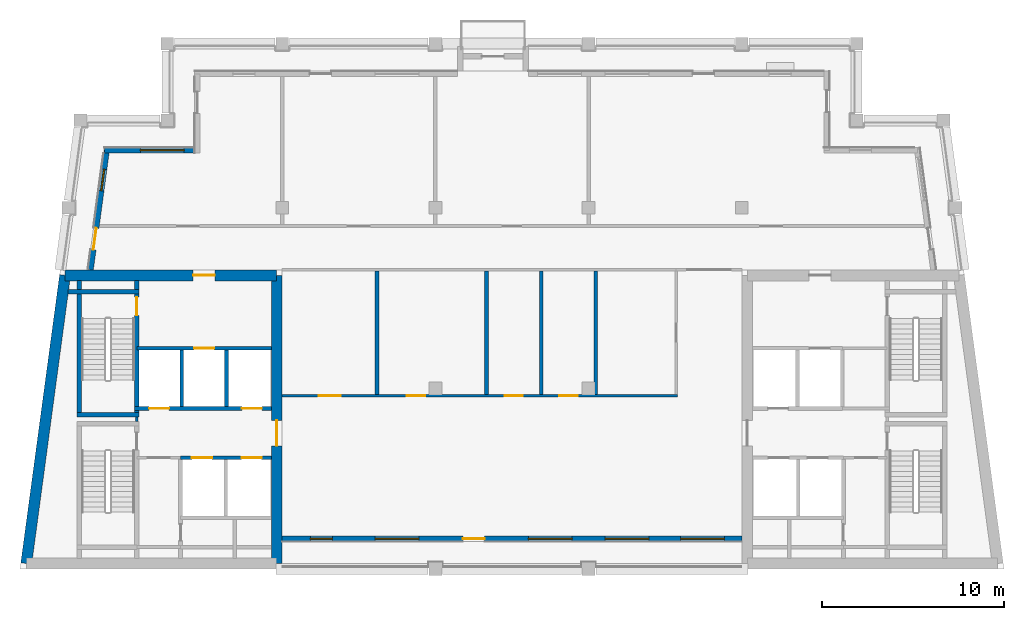
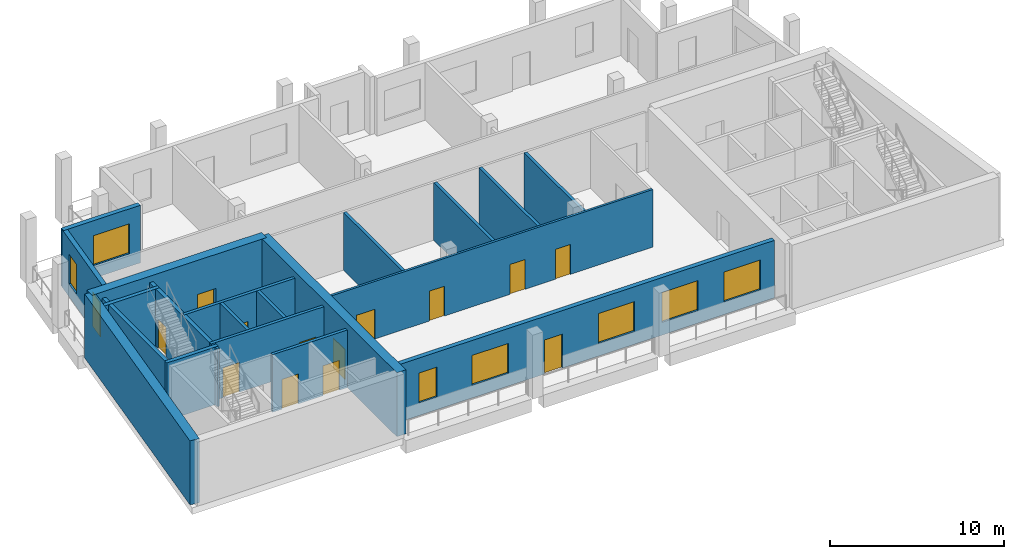
# One storey, part 2 of 9: 21 walls, 14 doors, 7 windows, 21 openings.
"""IFC4 building model written with IfcOpenShell, lengths in metres."""

import ifcopenshell
import ifcopenshell.guid

model = None  # the IFC model being written
_history = None  # IfcOwnerHistory: only IFC2X3 demands one
_inside = {}  # id of a spatial element -> (the spatial element, [elements in it])
_under = {}  # id of a project, library or spatial element -> (it, [spatial elements below it])
_declared = {}  # id of a project -> (the project, [libraries it declares])
_typed = {}  # id of a type object -> (the type object, [elements of that type])
_made_of = {}  # id of a material, layer set ... -> (it, [elements and type objects made of it])


def new_model(schema):
    """Start an empty IFC model of exactly this schema.

    Asked for "IFC4X3", IfcOpenShell would pick the latest addendum, in which some entities
    have other attributes; the version numbers below select the first issue.
    IFC2X3 requires an IfcOwnerHistory on every rooted entity: one is made here for all.
    """
    global model, _history
    if schema == "IFC4X3":
        model = ifcopenshell.file(schema_version=(4, 3, 0, 0))
    else:
        model = ifcopenshell.file(schema=schema)
    _inside.clear()
    _under.clear()
    _declared.clear()
    _typed.clear()
    _made_of.clear()
    _history = None
    if model.schema == "IFC2X3":
        org = make("IfcOrganization", Name="unknown")
        user = make(
            "IfcPersonAndOrganization",
            ThePerson=make("IfcPerson", FamilyName="unknown"),
            TheOrganization=org,
        )
        app = make(
            "IfcApplication",
            ApplicationDeveloper=org,
            Version="unknown",
            ApplicationFullName="unknown",
            ApplicationIdentifier="unknown",
        )
        _history = make(
            "IfcOwnerHistory",
            OwningUser=user,
            OwningApplication=app,
            ChangeAction="ADDED",
            CreationDate=0,
        )
    return model


def make(cls, **values):
    """One entity of the class cls with the attributes given. An attribute that is None is left unset."""
    return model.create_entity(
        cls, **{name: value for name, value in values.items() if value is not None}
    )


def rooted(cls, **values):
    """An entity with a GlobalId (a new one), such as an element, a storey or a relation."""
    return make(cls, GlobalId=ifcopenshell.guid.new(), OwnerHistory=_history, **values)


def si_unit(unit_type, name, prefix=None):
    """IfcSIUnit, for example si_unit("LENGTHUNIT", "METRE", prefix="MILLI")."""
    return make("IfcSIUnit", UnitType=unit_type, Prefix=prefix, Name=name)


def assignment(units):
    """IfcUnitAssignment: the units of a project."""
    return None if units is None else make("IfcUnitAssignment", Units=units)


def point(xyz):
    """IfcCartesianPoint."""
    return None if xyz is None else make("IfcCartesianPoint", Coordinates=xyz)


def direction(xyz):
    """IfcDirection."""
    return None if xyz is None else make("IfcDirection", DirectionRatios=xyz)


def frame(location, z_axis=None, x_axis=None):
    """IfcAxis2Placement3D, a coordinate frame: its origin and axes. An axis left out is left unset."""
    return make(
        "IfcAxis2Placement3D",
        Location=point(location),
        Axis=direction(z_axis),
        RefDirection=direction(x_axis),
    )


def frame_2d(location, x_axis=None):
    """IfcAxis2Placement2D, a coordinate frame in the plane: its origin and x axis."""
    return make(
        "IfcAxis2Placement2D", Location=point(location), RefDirection=direction(x_axis)
    )


def origin():
    """The frame at (0, 0, 0) with its axes left unset."""
    return frame((0.0, 0.0, 0.0))


def place(relative_to, where):
    """IfcLocalPlacement: puts the frame where relative to a parent placement (None: the world)."""
    return make(
        "IfcLocalPlacement", PlacementRelTo=relative_to, RelativePlacement=where
    )


def context(
    kind, dimensions, precision=None, world=None, true_north=None, identifier=None
):
    """IfcGeometricRepresentationContext, for example the 3D "Model" context."""
    return make(
        "IfcGeometricRepresentationContext",
        ContextIdentifier=identifier,
        ContextType=kind,
        CoordinateSpaceDimension=dimensions,
        Precision=precision,
        WorldCoordinateSystem=world,
        TrueNorth=true_north,
    )


def subcontext(parent, identifier, kind, view, scale=None):
    """IfcGeometricRepresentationSubContext, for example "Body" below "Model"."""
    return make(
        "IfcGeometricRepresentationSubContext",
        ContextIdentifier=identifier,
        ContextType=kind,
        ParentContext=parent,
        TargetScale=scale,
        TargetView=view,
    )


def project(units=None, contexts=None):
    """IfcProject with its units and contexts."""
    return rooted(
        "IfcProject",
        Name="project",
        RepresentationContexts=contexts,
        UnitsInContext=assignment(units),
    )


def spatial(cls, under=None, at=None, **own):
    """A site, building, storey or space (cls), placed at a placement, below another one or the project."""
    s = rooted(cls, ObjectPlacement=at, **own)
    if under is not None:
        _under.setdefault(under.id(), (under, []))[1].append(s)
    return s


def profile(cls, at=None, kind="AREA", **sizes):
    """A parametric profile (cls). Its sizes go by their IFC names, for example OverallWidth=200.0."""
    return make(cls, ProfileType=kind, Position=at, **sizes)


def rectangle(**sizes):
    """IfcRectangleProfileDef."""
    return profile("IfcRectangleProfileDef", **sizes)


def extrude(swept, where, along, depth):
    """IfcExtrudedAreaSolid: the profile swept, set in the frame where, extruded along a direction by depth."""
    return make(
        "IfcExtrudedAreaSolid",
        SweptArea=swept,
        Position=where,
        ExtrudedDirection=direction(along),
        Depth=depth,
    )


def shape(context_of_items, identifier, shape_type, items):
    """IfcShapeRepresentation: the items that make up one representation, for example the "Body"."""
    return make(
        "IfcShapeRepresentation",
        ContextOfItems=context_of_items,
        RepresentationIdentifier=identifier,
        RepresentationType=shape_type,
        Items=items,
    )


def material(Name=None, Category=None):
    """IfcMaterial."""
    return make("IfcMaterial", Name=Name, Category=Category)


def layer(
    of_material, thickness, ventilated=None, Name=None, Category=None, Priority=None
):
    """IfcMaterialLayer: one layer of a wall or slab, of a material (None: an air gap)."""
    return make(
        "IfcMaterialLayer",
        Material=of_material,
        LayerThickness=thickness,
        IsVentilated=ventilated,
        Name=Name,
        Category=Category,
        Priority=Priority,
    )


def layer_set(layers, Name=None):
    """IfcMaterialLayerSet."""
    return make("IfcMaterialLayerSet", MaterialLayers=layers, LayerSetName=Name)


def made_of(thing, what):
    """Note that an element or type object is made of a material, layer set ...; save() writes the relation."""
    if what is not None:
        _made_of.setdefault(what.id(), (what, []))[1].append(thing)
    return thing


def type_object(cls, material=None, **own):
    """A type object (cls), such as IfcWallType, which elements share."""
    return made_of(rooted(cls, **own), material)


def element(
    cls,
    number,
    at=None,
    inside=None,
    cuts=None,
    type_object=None,
    material=None,
    context=None,
    identifier="Body",
    shape_type=None,
    held_by="IfcProductDefinitionShape",
    body=None,
    shapes=None,
    **own,
):
    """One element of the class cls, such as IfcWall. Its Tag is "e" and its number.

    at: its placement. inside: the storey or other place that contains it. cuts: it is an
    opening in that element (IfcRelVoidsElement). A single representation is given by context,
    identifier, shape_type and body (its items); several are given by shapes. held_by: the class
    of the entity that holds the representations. save() writes the other relations.
    """
    e = rooted(cls, Tag="e%d" % number, ObjectPlacement=at, **own)
    if body is not None:
        shapes = [shape(context, identifier, shape_type, body)]
    if shapes is not None:
        e.Representation = make(held_by, Representations=shapes)
    if inside is not None:
        _inside.setdefault(inside.id(), (inside, []))[1].append(e)
    if cuts is not None:
        rooted(
            "IfcRelVoidsElement", RelatingBuildingElement=cuts, RelatedOpeningElement=e
        )
    if type_object is not None:
        _typed.setdefault(type_object.id(), (type_object, []))[1].append(e)
    return made_of(e, material)


def fill(opening, filler):
    """IfcRelFillsElement: the door or window that sits in an opening."""
    return rooted(
        "IfcRelFillsElement",
        RelatingOpeningElement=opening,
        RelatedBuildingElement=filler,
    )


def aggregate(whole, parts):
    """IfcRelAggregates: a whole, such as a stair, and the parts it consists of."""
    return rooted("IfcRelAggregates", RelatingObject=whole, RelatedObjects=parts)


def save(model, path):
    """Write the relations noted so far, then the file.

    IfcRelAggregates (storeys below a building ...), IfcRelContainedInSpatialStructure (elements
    in a storey), IfcRelDefinesByType, IfcRelAssociatesMaterial and IfcRelDeclares: one each for
    every whole, place, type object, material and project.
    """
    for whole, parts in _under.values():
        aggregate(whole, parts)
    for where, things in _inside.values():
        rooted(
            "IfcRelContainedInSpatialStructure",
            RelatedElements=things,
            RelatingStructure=where,
        )
    for kind, things in _typed.values():
        rooted("IfcRelDefinesByType", RelatedObjects=things, RelatingType=kind)
    for what, things in _made_of.values():
        rooted("IfcRelAssociatesMaterial", RelatedObjects=things, RelatingMaterial=what)
    for by, libraries in _declared.values():
        rooted("IfcRelDeclares", RelatingContext=by, RelatedDefinitions=libraries)
    model.write(path)


model = new_model("IFC4")

# Units and contexts
model_context = context("Model", 3, precision=1e-05, world=origin(), true_north=direction((0.0, 1.0)))
body_context = subcontext(model_context, "Body", "Model", "MODEL_VIEW")
ifc_project = project(units=[si_unit("LENGTHUNIT", "METRE"), si_unit("AREAUNIT", "SQUARE_METRE"), si_unit("VOLUMEUNIT", "CUBIC_METRE"), si_unit("PLANEANGLEUNIT", "RADIAN"), si_unit("MASSUNIT", "GRAM", prefix="KILO")], contexts=[model_context])

# Site, building, storey
site_placement = place(None, origin())
site = spatial("IfcSite", under=ifc_project, at=site_placement, CompositionType="ELEMENT")
building_placement = place(site_placement, origin())
building = spatial("IfcBuilding", under=site, at=building_placement, Name="Candeia Pilgrim Tower and Theatre", CompositionType="ELEMENT")
storey_placement = place(building_placement, frame((0.0, 0.0, 303.39990234375)))
storey = spatial("IfcBuildingStorey", under=building, at=storey_placement, Name="L74", CompositionType="ELEMENT", Elevation=303.39990234375)

# Wall, opening, door
ifc_material_1 = material(Name="Concrete C40/50", Category="concrete")
ifc_layer_1 = layer(ifc_material_1, 0.60009765625)
ifc_layer_set_1 = layer_set([ifc_layer_1], Name="Core wall 600 C40/50")
wall_type_1 = type_object("IfcWallType", Name="Core wall 600 C40/50", PredefinedType="SHEAR", material=ifc_layer_set_1)
wall_1_placement = place(storey_placement, frame((88.89306640625, 132.10009765625, 0.0), z_axis=(0.0, 0.0, 1.0), x_axis=(1.0, 0.0, 0.0)))
wall_1 = element("IfcWall", 1, at=wall_1_placement, inside=storey, type_object=wall_type_1, Name="Core wall W1", PredefinedType="SHEAR", context=body_context, shape_type="SweptSolid", body=[
    extrude(rectangle(XDim=11.60693359375, YDim=0.60009765625, at=frame_2d((5.803466796875, 0.0))), origin(), (0.0, 0.0, 1.0), 4.5),
])
opening_1_placement = place(wall_1_placement, frame((7.0205078125, 0.0, 0.0)))
opening_1 = element("IfcOpeningElement", 2, at=opening_1_placement, cuts=wall_1, Name="Opening L74-D019", PredefinedType="OPENING", context=body_context, shape_type="SweptSolid", body=[
    extrude(rectangle(XDim=1.199951171875, YDim=2.10009765625, at=frame_2d((0.60009765625, 1.050048828125))), frame((0.0, 0.31005859375, 0.0), z_axis=(0.0, -1.0, 0.0), x_axis=(1.0, 0.0, 0.0)), (0.0, 0.0, 1.0), 0.6201171875),
])
ifc_material_2 = material(Name="Steel fire door set", Category="steel")
door_type_1 = type_object("IfcDoorType", Name="D-1200-FD60", OperationType="NOTDEFINED", PredefinedType="DOOR", material=ifc_material_2)
door_1_placement = place(opening_1_placement, origin())
door_1 = element("IfcDoor", 3, at=door_1_placement, inside=storey, type_object=door_type_1, Name="Door L74-D019", OperationType="SINGLE_SWING_RIGHT", OverallHeight=2.10009765625, OverallWidth=1.199951171875, PredefinedType="DOOR", context=body_context, shape_type="SweptSolid", body=[
    extrude(rectangle(XDim=1.199951171875, YDim=2.10009765625, at=frame_2d((0.60009765625, 1.050048828125))), frame((0.0, 0.02490234375, 0.0), z_axis=(0.0, -1.0, 0.0), x_axis=(1.0, 0.0, 0.0)), (0.0, 0.0, 1.0), 0.050048828125),
])
fill(opening_1, door_1)

wall_2_placement = place(storey_placement, frame((100.5, 132.10009765625, 0.0), z_axis=(0.0, 0.0, 1.0), x_axis=(0.0, -1.0, 0.0)))
wall_2 = element("IfcWall", 4, at=wall_2_placement, inside=storey, type_object=wall_type_1, Name="Core wall W2", PredefinedType="SHEAR", context=body_context, shape_type="SweptSolid", body=[
    extrude(rectangle(XDim=15.800048828125, YDim=0.60009765625, at=frame_2d((7.89990234375, 0.0))), origin(), (0.0, 0.0, 1.0), 4.5),
])
opening_2_placement = place(wall_2_placement, frame((7.949951171875, 0.0, 0.0)))
opening_2 = element("IfcOpeningElement", 5, at=opening_2_placement, cuts=wall_2, Name="Opening L74-D020", PredefinedType="OPENING", context=body_context, shape_type="SweptSolid", body=[
    extrude(rectangle(XDim=1.39990234375, YDim=2.10009765625, at=frame_2d((0.699951171875, 1.050048828125))), frame((0.0, 0.31005859375, 0.0), z_axis=(0.0, -1.0, 0.0), x_axis=(1.0, 0.0, 0.0)), (0.0, 0.0, 1.0), 0.6201171875),
])
door_type_2 = type_object("IfcDoorType", Name="D-1400-FD60", OperationType="NOTDEFINED", PredefinedType="DOOR", material=ifc_material_2)
door_2_placement = place(opening_2_placement, origin())
door_2 = element("IfcDoor", 6, at=door_2_placement, inside=storey, type_object=door_type_2, Name="Door L74-D020", OperationType="SINGLE_SWING_LEFT", OverallHeight=2.10009765625, OverallWidth=1.39990234375, PredefinedType="DOOR", context=body_context, shape_type="SweptSolid", body=[
    extrude(rectangle(XDim=1.39990234375, YDim=2.10009765625, at=frame_2d((0.699951171875, 1.050048828125))), frame((0.0, 0.02490234375, 0.0), z_axis=(0.0, -1.0, 0.0), x_axis=(1.0, 0.0, 0.0)), (0.0, 0.0, 1.0), 0.050048828125),
])
fill(opening_2, door_2)

# Wall
wall_3_placement = place(storey_placement, frame((86.76611328125, 116.300048828125, 0.0), z_axis=(0.0, 0.0, 1.0), x_axis=(0.13341345841, 0.991060466932, 0.0)))
element("IfcWall", 7, at=wall_3_placement, inside=storey, type_object=wall_type_1, Name="Core wall W4", PredefinedType="SHEAR", context=body_context, shape_type="SweptSolid", body=[
    extrude(rectangle(XDim=15.942626953125, YDim=0.60009765625, at=frame_2d((7.97119140625, 0.0))), origin(), (0.0, 0.0, 1.0), 4.5),
])

# Wall, openings, door, window
ifc_material_3 = material(Name="Ceramic block masonry", Category="masonry")
ifc_layer_2 = layer(ifc_material_3, 0.300048828125)
ifc_layer_set_2 = layer_set([ifc_layer_2], Name="EW1 glazing-line wall 300")
wall_type_2 = type_object("IfcWallType", Name="EW1 glazing-line wall 300", PredefinedType="SOLIDWALL", material=ifc_layer_set_2)
wall_4_placement = place(storey_placement, frame((91.177490234375, 138.949951171875, 0.0), z_axis=(0.0, 0.0, 1.0), x_axis=(-0.133426664613, -0.991058689065, 0.0)))
wall_4 = element("IfcWall", 8, at=wall_4_placement, inside=storey, type_object=wall_type_2, Name="External wall L74-0.0", PredefinedType="SOLIDWALL", context=body_context, shape_type="SweptSolid", body=[
    extrude(rectangle(XDim=6.609130859375, YDim=0.300048828125, at=frame_2d((3.3046875, 0.0))), origin(), (0.0, 0.0, 1.0), 4.050048828125),
])
opening_3_placement = place(wall_4_placement, frame((1.039306640625, 0.0, 0.89990234375)))
opening_3 = element("IfcOpeningElement", 9, at=opening_3_placement, cuts=wall_4, Name="Opening W-B", PredefinedType="OPENING", context=body_context, shape_type="SweptSolid", body=[
    extrude(rectangle(XDim=1.199951171875, YDim=2.10009765625, at=frame_2d((0.60009765625, 1.050048828125))), frame((0.0, 0.16015625, 0.0), z_axis=(0.0, -1.0, 0.0), x_axis=(1.0, 0.0, 0.0)), (0.0, 0.0, 1.0), 0.320068359375),
])
opening_4_placement = place(wall_4_placement, frame((4.293701171875, 0.0, 0.0)))
opening_4 = element("IfcOpeningElement", 10, at=opening_4_placement, cuts=wall_4, Name="Opening L74-ED683", PredefinedType="OPENING", context=body_context, shape_type="SweptSolid", body=[
    extrude(rectangle(XDim=1.199951171875, YDim=2.39990234375, at=frame_2d((0.60009765625, 1.199951171875))), frame((0.0, 0.16015625, 0.0), z_axis=(0.0, -1.0, 0.0), x_axis=(1.0, 0.0, 0.0)), (0.0, 0.0, 1.0), 0.320068359375),
])
ifc_material_4 = material(Name="Aluminium framed glazed door", Category="aluminium")
door_type_3 = type_object("IfcDoorType", Name="Loggia door 1200x2400", OperationType="DOUBLE_DOOR_SINGLE_SWING", PredefinedType="DOOR", material=ifc_material_4)
door_3_placement = place(opening_4_placement, origin())
door_3 = element("IfcDoor", 11, at=door_3_placement, inside=storey, type_object=door_type_3, Name="Loggia door L74-ED683", OperationType="DOUBLE_DOOR_SINGLE_SWING", OverallHeight=2.39990234375, OverallWidth=1.199951171875, PredefinedType="DOOR", context=body_context, shape_type="SweptSolid", body=[
    extrude(rectangle(XDim=1.199951171875, YDim=2.39990234375, at=frame_2d((0.60009765625, 1.199951171875))), frame((0.0, 0.02490234375, 0.0), z_axis=(0.0, -1.0, 0.0), x_axis=(1.0, 0.0, 0.0)), (0.0, 0.0, 1.0), 0.050048828125),
])
fill(opening_4, door_3)
ifc_material_5 = material(Name="Aluminium framed double glazing", Category="aluminium")
window_type_1 = type_object("IfcWindowType", Name="W-B window 1200x2100", PartitioningType="SINGLE_PANEL", PredefinedType="WINDOW", material=ifc_material_5)
window_1_placement = place(opening_3_placement, origin())
window_1 = element("IfcWindow", 12, at=window_1_placement, inside=storey, type_object=window_type_1, Name="Window W-B L74", OverallHeight=2.10009765625, OverallWidth=1.199951171875, PartitioningType="SINGLE_PANEL", PredefinedType="WINDOW", context=body_context, shape_type="SweptSolid", body=[
    extrude(rectangle(XDim=1.199951171875, YDim=2.10009765625, at=frame_2d((0.60009765625, 1.050048828125))), frame((0.0, 0.030029296875, 0.0), z_axis=(0.0, -1.0, 0.0), x_axis=(1.0, 0.0, 0.0)), (0.0, 0.0, 1.0), 0.06005859375),
])
fill(opening_3, window_1)

# Wall, openings, door, windows
wall_5_placement = place(storey_placement, frame((100.800048828125, 117.64990234375, 0.0), z_axis=(0.0, 0.0, 1.0), x_axis=(1.0, 0.0, 0.0)))
wall_5 = element("IfcWall", 13, at=wall_5_placement, inside=storey, type_object=wall_type_2, Name="External wall L74-1.0", PredefinedType="SOLIDWALL", context=body_context, shape_type="SweptSolid", body=[
    extrude(rectangle(XDim=25.199951171875, YDim=0.300048828125, at=frame_2d((12.60009765625, 0.0))), origin(), (0.0, 0.0, 1.0), 4.050048828125),
])
opening_5_placement = place(wall_5_placement, frame((1.550048828125, 0.0, 0.89990234375)))
opening_5 = element("IfcOpeningElement", 14, at=opening_5_placement, cuts=wall_5, Name="Opening W-B", PredefinedType="OPENING", context=body_context, shape_type="SweptSolid", body=[
    extrude(rectangle(XDim=1.199951171875, YDim=2.10009765625, at=frame_2d((0.60009765625, 1.050048828125))), frame((0.0, 0.16015625, 0.0), z_axis=(0.0, -1.0, 0.0), x_axis=(1.0, 0.0, 0.0)), (0.0, 0.0, 1.0), 0.320068359375),
])
opening_6_placement = place(wall_5_placement, frame((5.10009765625, 0.0, 0.89990234375)))
opening_6 = element("IfcOpeningElement", 15, at=opening_6_placement, cuts=wall_5, Name="Opening W-A", PredefinedType="OPENING", context=body_context, shape_type="SweptSolid", body=[
    extrude(rectangle(XDim=2.39990234375, YDim=2.10009765625, at=frame_2d((1.199951171875, 1.050048828125))), frame((0.0, 0.16015625, 0.0), z_axis=(0.0, -1.0, 0.0), x_axis=(1.0, 0.0, 0.0)), (0.0, 0.0, 1.0), 0.320068359375),
])
opening_7_placement = place(wall_5_placement, frame((9.89990234375, 0.0, 0.0)))
opening_7 = element("IfcOpeningElement", 16, at=opening_7_placement, cuts=wall_5, Name="Opening L74-ED684", PredefinedType="OPENING", context=body_context, shape_type="SweptSolid", body=[
    extrude(rectangle(XDim=1.199951171875, YDim=2.39990234375, at=frame_2d((0.60009765625, 1.199951171875))), frame((0.0, 0.16015625, 0.0), z_axis=(0.0, -1.0, 0.0), x_axis=(1.0, 0.0, 0.0)), (0.0, 0.0, 1.0), 0.320068359375),
])
opening_8_placement = place(wall_5_placement, frame((13.5, 0.0, 0.89990234375)))
opening_8 = element("IfcOpeningElement", 17, at=opening_8_placement, cuts=wall_5, Name="Opening W-A", PredefinedType="OPENING", context=body_context, shape_type="SweptSolid", body=[
    extrude(rectangle(XDim=2.39990234375, YDim=2.10009765625, at=frame_2d((1.199951171875, 1.050048828125))), frame((0.0, 0.16015625, 0.0), z_axis=(0.0, -1.0, 0.0), x_axis=(1.0, 0.0, 0.0)), (0.0, 0.0, 1.0), 0.320068359375),
])
opening_9_placement = place(wall_5_placement, frame((17.699951171875, 0.0, 0.89990234375)))
opening_9 = element("IfcOpeningElement", 18, at=opening_9_placement, cuts=wall_5, Name="Opening W-A", PredefinedType="OPENING", context=body_context, shape_type="SweptSolid", body=[
    extrude(rectangle(XDim=2.39990234375, YDim=2.10009765625, at=frame_2d((1.199951171875, 1.050048828125))), frame((0.0, 0.16015625, 0.0), z_axis=(0.0, -1.0, 0.0), x_axis=(1.0, 0.0, 0.0)), (0.0, 0.0, 1.0), 0.320068359375),
])
opening_10_placement = place(wall_5_placement, frame((21.85009765625, 0.0, 0.89990234375)))
opening_10 = element("IfcOpeningElement", 19, at=opening_10_placement, cuts=wall_5, Name="Opening W-A", PredefinedType="OPENING", context=body_context, shape_type="SweptSolid", body=[
    extrude(rectangle(XDim=2.39990234375, YDim=2.10009765625, at=frame_2d((1.199951171875, 1.050048828125))), frame((0.0, 0.16015625, 0.0), z_axis=(0.0, -1.0, 0.0), x_axis=(1.0, 0.0, 0.0)), (0.0, 0.0, 1.0), 0.320068359375),
])
door_4_placement = place(opening_7_placement, origin())
door_4 = element("IfcDoor", 20, at=door_4_placement, inside=storey, type_object=door_type_3, Name="Loggia door L74-ED684", OperationType="DOUBLE_DOOR_SINGLE_SWING", OverallHeight=2.39990234375, OverallWidth=1.199951171875, PredefinedType="DOOR", context=body_context, shape_type="SweptSolid", body=[
    extrude(rectangle(XDim=1.199951171875, YDim=2.39990234375, at=frame_2d((0.60009765625, 1.199951171875))), frame((0.0, 0.02490234375, 0.0), z_axis=(0.0, -1.0, 0.0), x_axis=(1.0, 0.0, 0.0)), (0.0, 0.0, 1.0), 0.050048828125),
])
fill(opening_7, door_4)
window_type_2 = type_object("IfcWindowType", Name="W-A window 2400x2100", PartitioningType="DOUBLE_PANEL_VERTICAL", PredefinedType="WINDOW", material=ifc_material_5)
window_2_placement = place(opening_6_placement, origin())
window_2 = element("IfcWindow", 21, at=window_2_placement, inside=storey, type_object=window_type_2, Name="Window W-A L74", OverallHeight=2.10009765625, OverallWidth=2.39990234375, PartitioningType="SINGLE_PANEL", PredefinedType="WINDOW", context=body_context, shape_type="SweptSolid", body=[
    extrude(rectangle(XDim=2.39990234375, YDim=2.10009765625, at=frame_2d((1.199951171875, 1.050048828125))), frame((0.0, 0.030029296875, 0.0), z_axis=(0.0, -1.0, 0.0), x_axis=(1.0, 0.0, 0.0)), (0.0, 0.0, 1.0), 0.06005859375),
])
fill(opening_6, window_2)
window_3_placement = place(opening_8_placement, origin())
window_3 = element("IfcWindow", 22, at=window_3_placement, inside=storey, type_object=window_type_2, Name="Window W-A L74", OverallHeight=2.10009765625, OverallWidth=2.39990234375, PartitioningType="SINGLE_PANEL", PredefinedType="WINDOW", context=body_context, shape_type="SweptSolid", body=[
    extrude(rectangle(XDim=2.39990234375, YDim=2.10009765625, at=frame_2d((1.199951171875, 1.050048828125))), frame((0.0, 0.030029296875, 0.0), z_axis=(0.0, -1.0, 0.0), x_axis=(1.0, 0.0, 0.0)), (0.0, 0.0, 1.0), 0.06005859375),
])
fill(opening_8, window_3)
window_4_placement = place(opening_9_placement, origin())
window_4 = element("IfcWindow", 23, at=window_4_placement, inside=storey, type_object=window_type_2, Name="Window W-A L74", OverallHeight=2.10009765625, OverallWidth=2.39990234375, PartitioningType="SINGLE_PANEL", PredefinedType="WINDOW", context=body_context, shape_type="SweptSolid", body=[
    extrude(rectangle(XDim=2.39990234375, YDim=2.10009765625, at=frame_2d((1.199951171875, 1.050048828125))), frame((0.0, 0.030029296875, 0.0), z_axis=(0.0, -1.0, 0.0), x_axis=(1.0, 0.0, 0.0)), (0.0, 0.0, 1.0), 0.06005859375),
])
fill(opening_9, window_4)
window_5_placement = place(opening_10_placement, origin())
window_5 = element("IfcWindow", 24, at=window_5_placement, inside=storey, type_object=window_type_2, Name="Window W-A L74", OverallHeight=2.10009765625, OverallWidth=2.39990234375, PartitioningType="SINGLE_PANEL", PredefinedType="WINDOW", context=body_context, shape_type="SweptSolid", body=[
    extrude(rectangle(XDim=2.39990234375, YDim=2.10009765625, at=frame_2d((1.199951171875, 1.050048828125))), frame((0.0, 0.030029296875, 0.0), z_axis=(0.0, -1.0, 0.0), x_axis=(1.0, 0.0, 0.0)), (0.0, 0.0, 1.0), 0.06005859375),
])
fill(opening_10, window_5)
window_6_placement = place(opening_5_placement, origin())
window_6 = element("IfcWindow", 25, at=window_6_placement, inside=storey, type_object=window_type_1, Name="Window W-B L74", OverallHeight=2.10009765625, OverallWidth=1.199951171875, PartitioningType="SINGLE_PANEL", PredefinedType="WINDOW", context=body_context, shape_type="SweptSolid", body=[
    extrude(rectangle(XDim=1.199951171875, YDim=2.10009765625, at=frame_2d((0.60009765625, 1.050048828125))), frame((0.0, 0.030029296875, 0.0), z_axis=(0.0, -1.0, 0.0), x_axis=(1.0, 0.0, 0.0)), (0.0, 0.0, 1.0), 0.06005859375),
])
fill(opening_5, window_6)

# Wall, opening, window
wall_6_placement = place(storey_placement, frame((96.14990234375, 138.949951171875, 0.0), z_axis=(0.0, 0.0, 1.0), x_axis=(-1.0, 0.0, 0.0)))
wall_6 = element("IfcWall", 26, at=wall_6_placement, inside=storey, type_object=wall_type_2, Name="External wall L74-7.0", PredefinedType="SOLIDWALL", context=body_context, shape_type="SweptSolid", body=[
    extrude(rectangle(XDim=5.103759765625, YDim=0.300048828125, at=frame_2d((2.5517578125, 0.0))), origin(), (0.0, 0.0, 1.0), 4.050048828125),
])
opening_11_placement = place(wall_6_placement, frame((0.72509765625, 0.0, 0.89990234375)))
opening_11 = element("IfcOpeningElement", 27, at=opening_11_placement, cuts=wall_6, Name="Opening W-A", PredefinedType="OPENING", context=body_context, shape_type="SweptSolid", body=[
    extrude(rectangle(XDim=2.39990234375, YDim=2.10009765625, at=frame_2d((1.199951171875, 1.050048828125))), frame((0.0, 0.16015625, 0.0), z_axis=(0.0, -1.0, 0.0), x_axis=(1.0, 0.0, 0.0)), (0.0, 0.0, 1.0), 0.320068359375),
])
window_7_placement = place(opening_11_placement, origin())
window_7 = element("IfcWindow", 28, at=window_7_placement, inside=storey, type_object=window_type_2, Name="Window W-A L74", OverallHeight=2.10009765625, OverallWidth=2.39990234375, PartitioningType="SINGLE_PANEL", PredefinedType="WINDOW", context=body_context, shape_type="SweptSolid", body=[
    extrude(rectangle(XDim=2.39990234375, YDim=2.10009765625, at=frame_2d((1.199951171875, 1.050048828125))), frame((0.0, 0.030029296875, 0.0), z_axis=(0.0, -1.0, 0.0), x_axis=(1.0, 0.0, 0.0)), (0.0, 0.0, 1.0), 0.06005859375),
])
fill(opening_11, window_7)

# Wall, openings, doors
ifc_material_6 = material(Name="Gypsum board partition on steel studs", Category="steel")
ifc_layer_3 = layer(ifc_material_6, 0.14990234375)
ifc_layer_set_3 = layer_set([ifc_layer_3], Name="PW-150 lobby wall")
wall_type_3 = type_object("IfcWallType", Name="PW-150 lobby wall", PredefinedType="PARTITIONING", material=ifc_layer_set_3)
wall_7_placement = place(storey_placement, frame((100.800048828125, 125.5, 0.0), z_axis=(0.0, 0.0, 1.0), x_axis=(1.0, 0.0, 0.0)))
wall_7 = element("IfcWall", 29, at=wall_7_placement, inside=storey, type_object=wall_type_3, Name="Lobby wall L74-020", PredefinedType="PARTITIONING", context=body_context, shape_type="SweptSolid", body=[
    extrude(rectangle(XDim=21.675048828125, YDim=0.14990234375, at=frame_2d((10.83740234375, 0.0))), origin(), (0.0, 0.0, 1.0), 4.050048828125),
])
opening_12_placement = place(wall_7_placement, frame((2.0, 0.0, 0.0)))
opening_12 = element("IfcOpeningElement", 30, at=opening_12_placement, cuts=wall_7, Name="Opening L74-D002", PredefinedType="OPENING", context=body_context, shape_type="SweptSolid", body=[
    extrude(rectangle(XDim=1.199951171875, YDim=2.10009765625, at=frame_2d((0.60009765625, 1.050048828125))), frame((0.0, 0.0849609375, 0.0), z_axis=(0.0, -1.0, 0.0), x_axis=(1.0, 0.0, 0.0)), (0.0, 0.0, 1.0), 0.169921875),
])
opening_13_placement = place(wall_7_placement, frame((6.840087890625, 0.0, 0.0)))
opening_13 = element("IfcOpeningElement", 31, at=opening_13_placement, cuts=wall_7, Name="Opening L74-D003", PredefinedType="OPENING", context=body_context, shape_type="SweptSolid", body=[
    extrude(rectangle(XDim=1.0, YDim=2.10009765625, at=frame_2d((0.5, 1.050048828125))), frame((0.0, 0.0849609375, 0.0), z_axis=(0.0, -1.0, 0.0), x_axis=(1.0, 0.0, 0.0)), (0.0, 0.0, 1.0), 0.169921875),
])
opening_14_placement = place(wall_7_placement, frame((12.199951171875, 0.0, 0.0)))
opening_14 = element("IfcOpeningElement", 32, at=opening_14_placement, cuts=wall_7, Name="Opening L74-D004", PredefinedType="OPENING", context=body_context, shape_type="SweptSolid", body=[
    extrude(rectangle(XDim=1.0, YDim=2.10009765625, at=frame_2d((0.5, 1.050048828125))), frame((0.0, 0.0849609375, 0.0), z_axis=(0.0, -1.0, 0.0), x_axis=(1.0, 0.0, 0.0)), (0.0, 0.0, 1.0), 0.169921875),
])
opening_15_placement = place(wall_7_placement, frame((15.199951171875, 0.0, 0.0)))
opening_15 = element("IfcOpeningElement", 33, at=opening_15_placement, cuts=wall_7, Name="Opening L74-D005", PredefinedType="OPENING", context=body_context, shape_type="SweptSolid", body=[
    extrude(rectangle(XDim=1.0, YDim=2.10009765625, at=frame_2d((0.5, 1.050048828125))), frame((0.0, 0.0849609375, 0.0), z_axis=(0.0, -1.0, 0.0), x_axis=(1.0, 0.0, 0.0)), (0.0, 0.0, 1.0), 0.169921875),
])
door_type_4 = type_object("IfcDoorType", Name="D-1000-FD30S", OperationType="NOTDEFINED", PredefinedType="DOOR", material=ifc_material_2)
door_5_placement = place(opening_13_placement, origin())
door_5 = element("IfcDoor", 34, at=door_5_placement, inside=storey, type_object=door_type_4, Name="Door L74-D003", OperationType="SINGLE_SWING_LEFT", OverallHeight=2.10009765625, OverallWidth=1.0, PredefinedType="DOOR", context=body_context, shape_type="SweptSolid", body=[
    extrude(rectangle(XDim=1.0, YDim=2.10009765625, at=frame_2d((0.5, 1.050048828125))), frame((0.0, 0.02490234375, 0.0), z_axis=(0.0, -1.0, 0.0), x_axis=(1.0, 0.0, 0.0)), (0.0, 0.0, 1.0), 0.050048828125),
])
fill(opening_13, door_5)
door_6_placement = place(opening_14_placement, origin())
door_6 = element("IfcDoor", 35, at=door_6_placement, inside=storey, type_object=door_type_4, Name="Door L74-D004", OperationType="SINGLE_SWING_RIGHT", OverallHeight=2.10009765625, OverallWidth=1.0, PredefinedType="DOOR", context=body_context, shape_type="SweptSolid", body=[
    extrude(rectangle(XDim=1.0, YDim=2.10009765625, at=frame_2d((0.5, 1.050048828125))), frame((0.0, 0.02490234375, 0.0), z_axis=(0.0, -1.0, 0.0), x_axis=(1.0, 0.0, 0.0)), (0.0, 0.0, 1.0), 0.050048828125),
])
fill(opening_14, door_6)
door_7_placement = place(opening_15_placement, origin())
door_7 = element("IfcDoor", 36, at=door_7_placement, inside=storey, type_object=door_type_4, Name="Door L74-D005", OperationType="SINGLE_SWING_LEFT", OverallHeight=2.10009765625, OverallWidth=1.0, PredefinedType="DOOR", context=body_context, shape_type="SweptSolid", body=[
    extrude(rectangle(XDim=1.0, YDim=2.10009765625, at=frame_2d((0.5, 1.050048828125))), frame((0.0, 0.02490234375, 0.0), z_axis=(0.0, -1.0, 0.0), x_axis=(1.0, 0.0, 0.0)), (0.0, 0.0, 1.0), 0.050048828125),
])
fill(opening_15, door_7)
door_type_5 = type_object("IfcDoorType", Name="D-1200-FD30S", OperationType="NOTDEFINED", PredefinedType="DOOR", material=ifc_material_2)
door_8_placement = place(opening_12_placement, origin())
door_8 = element("IfcDoor", 37, at=door_8_placement, inside=storey, type_object=door_type_5, Name="Door L74-D002", OperationType="SINGLE_SWING_RIGHT", OverallHeight=2.10009765625, OverallWidth=1.199951171875, PredefinedType="DOOR", context=body_context, shape_type="SweptSolid", body=[
    extrude(rectangle(XDim=1.199951171875, YDim=2.10009765625, at=frame_2d((0.60009765625, 1.050048828125))), frame((0.0, 0.02490234375, 0.0), z_axis=(0.0, -1.0, 0.0), x_axis=(1.0, 0.0, 0.0)), (0.0, 0.0, 1.0), 0.050048828125),
])
fill(opening_12, door_8)

# Walls
wall_8_placement = place(storey_placement, frame((92.826904296875, 124.074951171875, 0.0), z_axis=(0.0, 0.0, 1.0), x_axis=(0.0, 1.0, 0.0)))
element("IfcWall", 38, at=wall_8_placement, inside=storey, type_object=wall_type_3, Name="Lobby wall L74-031", PredefinedType="PARTITIONING", context=body_context, shape_type="SweptSolid", body=[
    extrude(rectangle(XDim=0.25, YDim=0.14990234375, at=frame_2d((0.125, 0.0))), origin(), (0.0, 0.0, 1.0), 4.050048828125),
])
ifc_layer_4 = layer(ifc_material_6, 0.199951171875)
ifc_layer_set_4 = layer_set([ifc_layer_4], Name="PW-200 party wall")
wall_type_4 = type_object("IfcWallType", Name="PW-200 party wall", PredefinedType="PARTITIONING", material=ifc_layer_set_4)
for number, where, z_axis, x_axis, name in (
    (39, (106.0, 125.574951171875, 0.0), (0.0, 0.0, 1.0), (0.0, 1.0, 0.0), "Party wall L74-040"),
    (40, (112.0, 125.574951171875, 0.0), (0.0, 0.0, 1.0), (0.0, 1.0, 0.0), "Party wall L74-042"),
    (41, (115.0, 125.574951171875, 0.0), (0.0, 0.0, 1.0), (0.0, 1.0, 0.0), "Party wall L74-043"),
    (42, (118.0, 125.574951171875, 0.0), (0.0, 0.0, 1.0), (0.0, 1.0, 0.0), "Party wall L74-045"),
):
    element("IfcWall", number, at=place(storey_placement, frame(where, z_axis=z_axis, x_axis=x_axis)), inside=storey, type_object=wall_type_4, Name=name, PredefinedType="PARTITIONING", context=body_context, shape_type="SweptSolid", body=[
        extrude(rectangle(XDim=6.75, YDim=0.199951171875, at=frame_2d((3.375, 0.0))), origin(), (0.0, 0.0, 1.0), 4.050048828125),
    ])

# Wall, openings, doors
ifc_layer_5 = layer(ifc_material_1, 0.199951171875)
ifc_layer_set_5 = layer_set([ifc_layer_5], Name="SW-200 shaft wall")
wall_type_5 = type_object("IfcWallType", Name="SW-200 shaft wall", PredefinedType="PARTITIONING", material=ifc_layer_set_5)
wall_9_placement = place(storey_placement, frame((95.22705078125, 122.10009765625, 0.0), z_axis=(0.0, 0.0, 1.0), x_axis=(1.0, 0.0, 0.0)))
wall_9 = element("IfcWall", 43, at=wall_9_placement, inside=storey, type_object=wall_type_5, Name="Shaft wall L74-009", PredefinedType="PARTITIONING", context=body_context, shape_type="SweptSolid", body=[
    extrude(rectangle(XDim=4.972900390625, YDim=0.199951171875, at=frame_2d((2.486328125, 0.0))), origin(), (0.0, 0.0, 1.0), 4.050048828125),
])
opening_16_placement = place(wall_9_placement, frame((0.625, 0.0, 0.0)))
opening_16 = element("IfcOpeningElement", 44, at=opening_16_placement, cuts=wall_9, Name="Opening L74-LD01", PredefinedType="OPENING", context=body_context, shape_type="SweptSolid", body=[
    extrude(rectangle(XDim=1.10009765625, YDim=2.10009765625, at=frame_2d((0.550048828125, 1.050048828125))), frame((0.0, 0.10986328125, 0.0), z_axis=(0.0, -1.0, 0.0), x_axis=(1.0, 0.0, 0.0)), (0.0, 0.0, 1.0), 0.219970703125),
])
opening_17_placement = place(wall_9_placement, frame((3.35107421875, 0.0, 0.0)))
opening_17 = element("IfcOpeningElement", 45, at=opening_17_placement, cuts=wall_9, Name="Opening L74-LD02", PredefinedType="OPENING", context=body_context, shape_type="SweptSolid", body=[
    extrude(rectangle(XDim=1.10009765625, YDim=2.10009765625, at=frame_2d((0.550048828125, 1.050048828125))), frame((0.0, 0.10986328125, 0.0), z_axis=(0.0, -1.0, 0.0), x_axis=(1.0, 0.0, 0.0)), (0.0, 0.0, 1.0), 0.219970703125),
])
ifc_material_7 = material(Name="Glazed aluminium landing door", Category="aluminium")
door_type_6 = type_object("IfcDoorType", Name="LD-1100-EI120", OperationType="SLIDING_TO_LEFT", PredefinedType="DOOR", material=ifc_material_7)
door_9_placement = place(opening_16_placement, origin())
door_9 = element("IfcDoor", 46, at=door_9_placement, inside=storey, type_object=door_type_6, Name="Landing door 01 L74", OperationType="SLIDING_TO_LEFT", OverallHeight=2.10009765625, OverallWidth=1.10009765625, PredefinedType="DOOR", context=body_context, shape_type="SweptSolid", body=[
    extrude(rectangle(XDim=1.10009765625, YDim=2.10009765625, at=frame_2d((0.550048828125, 1.050048828125))), frame((0.0, 0.02490234375, 0.0), z_axis=(0.0, -1.0, 0.0), x_axis=(1.0, 0.0, 0.0)), (0.0, 0.0, 1.0), 0.050048828125),
])
fill(opening_16, door_9)
door_10_placement = place(opening_17_placement, origin())
door_10 = element("IfcDoor", 47, at=door_10_placement, inside=storey, type_object=door_type_6, Name="Landing door 02 L74", OperationType="SLIDING_TO_LEFT", OverallHeight=2.10009765625, OverallWidth=1.10009765625, PredefinedType="DOOR", context=body_context, shape_type="SweptSolid", body=[
    extrude(rectangle(XDim=1.10009765625, YDim=2.10009765625, at=frame_2d((0.550048828125, 1.050048828125))), frame((0.0, 0.02490234375, 0.0), z_axis=(0.0, -1.0, 0.0), x_axis=(1.0, 0.0, 0.0)), (0.0, 0.0, 1.0), 0.050048828125),
])
fill(opening_17, door_10)

wall_10_placement = place(storey_placement, frame((92.701904296875, 124.800048828125, 0.0), z_axis=(0.0, 0.0, 1.0), x_axis=(1.0, 0.0, 0.0)))
wall_10 = element("IfcWall", 48, at=wall_10_placement, inside=storey, type_object=wall_type_5, Name="Shaft wall L74-017", PredefinedType="PARTITIONING", context=body_context, shape_type="SweptSolid", body=[
    extrude(rectangle(XDim=7.498046875, YDim=0.199951171875, at=frame_2d((3.7490234375, 0.0))), origin(), (0.0, 0.0, 1.0), 4.050048828125),
])
opening_18_placement = place(wall_10_placement, frame((0.803955078125, 0.0, 0.0)))
opening_18 = element("IfcOpeningElement", 49, at=opening_18_placement, cuts=wall_10, Name="Opening L74-LD03", PredefinedType="OPENING", context=body_context, shape_type="SweptSolid", body=[
    extrude(rectangle(XDim=1.10009765625, YDim=2.10009765625, at=frame_2d((0.550048828125, 1.050048828125))), frame((0.0, 0.10986328125, 0.0), z_axis=(0.0, -1.0, 0.0), x_axis=(1.0, 0.0, 0.0)), (0.0, 0.0, 1.0), 0.219970703125),
])
opening_19_placement = place(wall_10_placement, frame((5.884033203125, 0.0, 0.0)))
opening_19 = element("IfcOpeningElement", 50, at=opening_19_placement, cuts=wall_10, Name="Opening L74-LD05", PredefinedType="OPENING", context=body_context, shape_type="SweptSolid", body=[
    extrude(rectangle(XDim=1.10009765625, YDim=2.10009765625, at=frame_2d((0.550048828125, 1.050048828125))), frame((0.0, 0.10986328125, 0.0), z_axis=(0.0, -1.0, 0.0), x_axis=(1.0, 0.0, 0.0)), (0.0, 0.0, 1.0), 0.219970703125),
])
door_11_placement = place(opening_18_placement, origin())
door_11 = element("IfcDoor", 51, at=door_11_placement, inside=storey, type_object=door_type_6, Name="Landing door 03 L74", OperationType="SLIDING_TO_LEFT", OverallHeight=2.10009765625, OverallWidth=1.10009765625, PredefinedType="DOOR", context=body_context, shape_type="SweptSolid", body=[
    extrude(rectangle(XDim=1.10009765625, YDim=2.10009765625, at=frame_2d((0.550048828125, 1.050048828125))), frame((0.0, 0.02490234375, 0.0), z_axis=(0.0, -1.0, 0.0), x_axis=(1.0, 0.0, 0.0)), (0.0, 0.0, 1.0), 0.050048828125),
])
fill(opening_18, door_11)
door_12_placement = place(opening_19_placement, origin())
door_12 = element("IfcDoor", 52, at=door_12_placement, inside=storey, type_object=door_type_6, Name="Landing door 05 L74", OperationType="SLIDING_TO_LEFT", OverallHeight=2.10009765625, OverallWidth=1.10009765625, PredefinedType="DOOR", context=body_context, shape_type="SweptSolid", body=[
    extrude(rectangle(XDim=1.10009765625, YDim=2.10009765625, at=frame_2d((0.550048828125, 1.050048828125))), frame((0.0, 0.02490234375, 0.0), z_axis=(0.0, -1.0, 0.0), x_axis=(1.0, 0.0, 0.0)), (0.0, 0.0, 1.0), 0.050048828125),
])
fill(opening_19, door_12)

# Wall, opening, door
wall_11_placement = place(storey_placement, frame((92.826904296875, 128.10009765625, 0.0), z_axis=(0.0, 0.0, 1.0), x_axis=(1.0, 0.0, 0.0)))
wall_11 = element("IfcWall", 53, at=wall_11_placement, inside=storey, type_object=wall_type_5, Name="Shaft wall L74-021", PredefinedType="PARTITIONING", context=body_context, shape_type="SweptSolid", body=[
    extrude(rectangle(XDim=7.373046875, YDim=0.199951171875, at=frame_2d((3.6865234375, 0.0))), origin(), (0.0, 0.0, 1.0), 4.050048828125),
])
opening_20_placement = place(wall_11_placement, frame((3.136962890625, 0.0, 0.0)))
opening_20 = element("IfcOpeningElement", 54, at=opening_20_placement, cuts=wall_11, Name="Opening L74-LD04", PredefinedType="OPENING", context=body_context, shape_type="SweptSolid", body=[
    extrude(rectangle(XDim=1.10009765625, YDim=2.10009765625, at=frame_2d((0.550048828125, 1.050048828125))), frame((0.0, 0.10986328125, 0.0), z_axis=(0.0, -1.0, 0.0), x_axis=(1.0, 0.0, 0.0)), (0.0, 0.0, 1.0), 0.219970703125),
])
door_13_placement = place(opening_20_placement, origin())
door_13 = element("IfcDoor", 55, at=door_13_placement, inside=storey, type_object=door_type_6, Name="Landing door 04 L74", OperationType="SLIDING_TO_LEFT", OverallHeight=2.10009765625, OverallWidth=1.10009765625, PredefinedType="DOOR", context=body_context, shape_type="SweptSolid", body=[
    extrude(rectangle(XDim=1.10009765625, YDim=2.10009765625, at=frame_2d((0.550048828125, 1.050048828125))), frame((0.0, 0.02490234375, 0.0), z_axis=(0.0, -1.0, 0.0), x_axis=(1.0, 0.0, 0.0)), (0.0, 0.0, 1.0), 0.050048828125),
])
fill(opening_20, door_13)

# Walls
for number, where, z_axis, x_axis, name in (
    (56, (95.28466796875, 124.89990234375, 0.0), (0.0, 0.0, 1.0), (0.0, 1.0, 0.0), "Shaft wall L74-035"),
    (57, (97.7421875, 124.89990234375, 0.0), (0.0, 0.0, 1.0), (0.0, 1.0, 0.0), "Shaft wall L74-037"),
):
    element("IfcWall", number, at=place(storey_placement, frame(where, z_axis=z_axis, x_axis=x_axis)), inside=storey, type_object=wall_type_5, Name=name, PredefinedType="PARTITIONING", context=body_context, shape_type="SweptSolid", body=[
        extrude(rectangle(XDim=3.10009765625, YDim=0.199951171875, at=frame_2d((1.550048828125, 0.0))), origin(), (0.0, 0.0, 1.0), 4.050048828125),
    ])
ifc_layer_6 = layer(ifc_material_1, 0.25)
ifc_layer_set_6 = layer_set([ifc_layer_6], Name="SW-250 stair wall")
wall_type_6 = type_object("IfcWallType", Name="SW-250 stair wall", PredefinedType="PARTITIONING", material=ifc_layer_set_6)
wall_12_placement = place(storey_placement, frame((89.552001953125, 124.449951171875, 0.0), z_axis=(0.0, 0.0, 1.0), x_axis=(1.0, 0.0, 0.0)))
element("IfcWall", 58, at=wall_12_placement, inside=storey, type_object=wall_type_6, Name="Stair wall L74-015", PredefinedType="PARTITIONING", context=body_context, shape_type="SweptSolid", body=[
    extrude(rectangle(XDim=3.39990234375, YDim=0.25, at=frame_2d((1.699951171875, 0.0))), origin(), (0.0, 0.0, 1.0), 4.050048828125),
])
wall_13_placement = place(storey_placement, frame((89.044677734375, 131.199951171875, 0.0), z_axis=(0.0, 0.0, 1.0), x_axis=(1.0, 0.0, 0.0)))
element("IfcWall", 59, at=wall_13_placement, inside=storey, type_object=wall_type_6, Name="Stair wall L74-024", PredefinedType="PARTITIONING", context=body_context, shape_type="SweptSolid", body=[
    extrude(rectangle(XDim=3.9072265625, YDim=0.25, at=frame_2d((1.95361328125, 0.0))), origin(), (0.0, 0.0, 1.0), 4.050048828125),
])
wall_14_placement = place(storey_placement, frame((89.677001953125, 124.574951171875, 0.0), z_axis=(0.0, 0.0, 1.0), x_axis=(0.0, 1.0, 0.0)))
element("IfcWall", 60, at=wall_14_placement, inside=storey, type_object=wall_type_6, Name="Stair wall L74-030", PredefinedType="PARTITIONING", context=body_context, shape_type="SweptSolid", body=[
    extrude(rectangle(XDim=7.255126953125, YDim=0.25, at=frame_2d((3.62744140625, 0.0))), origin(), (0.0, 0.0, 1.0), 4.050048828125),
])

# Wall, opening, door
wall_15_placement = place(storey_placement, frame((92.826904296875, 124.574951171875, 0.0), z_axis=(0.0, 0.0, 1.0), x_axis=(0.0, 1.0, 0.0)))
wall_15 = element("IfcWall", 61, at=wall_15_placement, inside=storey, type_object=wall_type_6, Name="Stair wall L74-033", PredefinedType="PARTITIONING", context=body_context, shape_type="SweptSolid", body=[
    extrude(rectangle(XDim=7.255126953125, YDim=0.25, at=frame_2d((3.62744140625, 0.0))), origin(), (0.0, 0.0, 1.0), 4.050048828125),
])
opening_21_placement = place(wall_15_placement, frame((5.324951171875, 0.0, 0.0)))
opening_21 = element("IfcOpeningElement", 62, at=opening_21_placement, cuts=wall_15, Name="Opening L74-D013", PredefinedType="OPENING", context=body_context, shape_type="SweptSolid", body=[
    extrude(rectangle(XDim=1.0, YDim=2.10009765625, at=frame_2d((0.5, 1.050048828125))), frame((0.0, 0.135009765625, 0.0), z_axis=(0.0, -1.0, 0.0), x_axis=(1.0, 0.0, 0.0)), (0.0, 0.0, 1.0), 0.27001953125),
])
door_type_7 = type_object("IfcDoorType", Name="D-1000-FD60", OperationType="NOTDEFINED", PredefinedType="DOOR", material=ifc_material_2)
door_14_placement = place(opening_21_placement, origin())
door_14 = element("IfcDoor", 63, at=door_14_placement, inside=storey, type_object=door_type_7, Name="Door L74-D013", OperationType="SINGLE_SWING_RIGHT", OverallHeight=2.10009765625, OverallWidth=1.0, PredefinedType="DOOR", context=body_context, shape_type="SweptSolid", body=[
    extrude(rectangle(XDim=1.0, YDim=2.10009765625, at=frame_2d((0.5, 1.050048828125))), frame((0.0, 0.02490234375, 0.0), z_axis=(0.0, -1.0, 0.0), x_axis=(1.0, 0.0, 0.0)), (0.0, 0.0, 1.0), 0.050048828125),
])
fill(opening_21, door_14)

save(model, "model.ifc")
